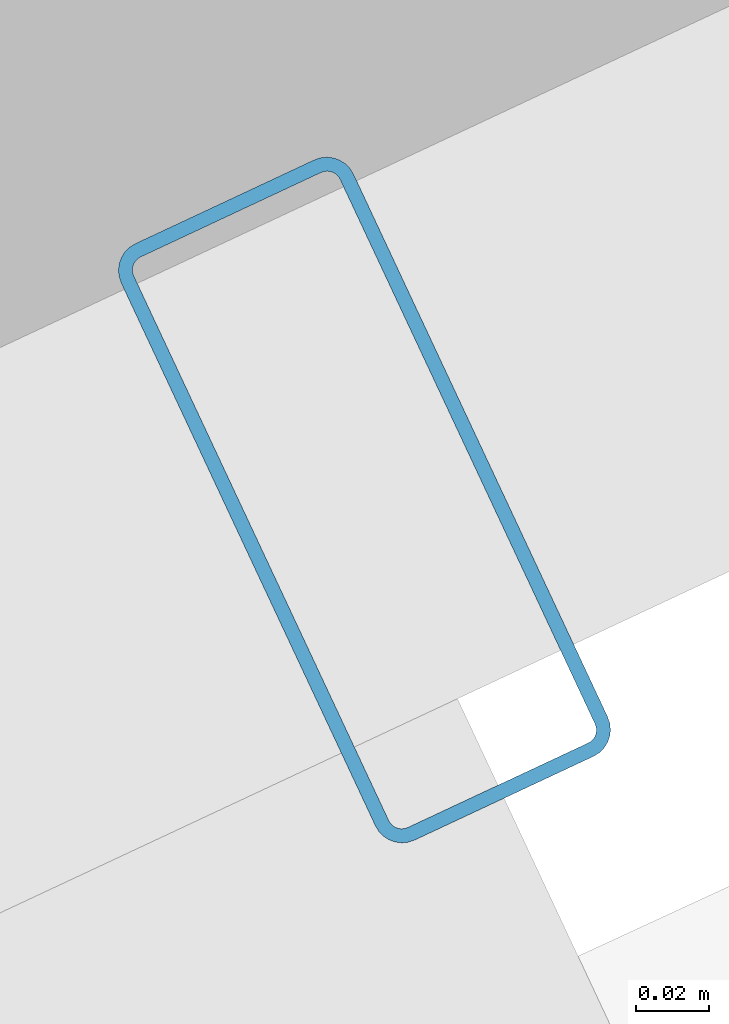
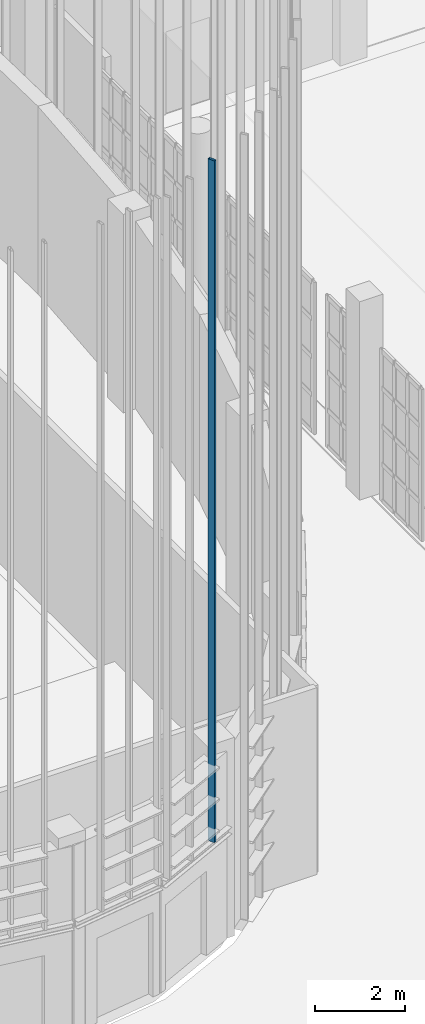
# One storey, part 150 of 372: 1 member.
"""IFC4 building model written with IfcOpenShell, lengths in metres."""

from ifc_helpers import new_model, si_unit, direction, frame, origin, origin_2d, place, context, subcontext, project, spatial, hollow_rectangle, extrude, material, material_profile, profile_set, type_object, element, save


model = new_model("IFC4")

# Units and contexts
model_context = context("Model", 3, precision=1e-05, world=origin(), true_north=direction((0.0, 1.0)))
body_context = subcontext(model_context, "Body", "Model", "MODEL_VIEW")
ifc_project = project(units=[si_unit("LENGTHUNIT", "METRE"), si_unit("AREAUNIT", "SQUARE_METRE"), si_unit("VOLUMEUNIT", "CUBIC_METRE"), si_unit("PLANEANGLEUNIT", "RADIAN"), si_unit("MASSUNIT", "GRAM", prefix="KILO")], contexts=[model_context])

# Site, building, storey
site_placement = place(None, origin())
site = spatial("IfcSite", under=ifc_project, at=site_placement, CompositionType="ELEMENT")
building_placement = place(site_placement, origin())
building = spatial("IfcBuilding", under=site, at=building_placement, Name="Kaelora Sail Theatre", CompositionType="ELEMENT")
storey_placement = place(building_placement, origin())
storey = spatial("IfcBuildingStorey", under=building, at=storey_placement, Name="L00", CompositionType="ELEMENT", Elevation=0.0)

# Member
ifc_material = material(Name="Anodised aluminium 6063-T6", Category="aluminium")
ifc_material_profile = material_profile(ifc_material, hollow_rectangle(XDim=0.070068359375, YDim=0.179931640625, WallThickness=0.00390625, InnerFilletRadius=0.00390625, OuterFilletRadius=0.008056640625, at=origin_2d()), Name="ALU-MULL 70x180x4")
ifc_profile_set = profile_set([ifc_material_profile], Name="Anodised aluminium 6063-T6")
member_type = type_object("IfcMemberType", Name="ARC-MEM-PST-160", PredefinedType="POST", material=ifc_profile_set)
member_placement = place(storey_placement, frame((94.815185546875, 32.186279296875, 3.10009765625), z_axis=(0.0, 0.0, 1.0), x_axis=(-0.905642821984, -0.424041364714, 0.0)))
element("IfcMember", 1, at=member_placement, inside=storey, type_object=member_type, Name="Studio Theatre Sail Drum solar louvre vertical support post C9-1", PredefinedType="POST", context=body_context, shape_type="SweptSolid", body=[
    extrude(hollow_rectangle(XDim=0.070068359375, YDim=0.179931640625, WallThickness=0.00390625, InnerFilletRadius=0.00390625, OuterFilletRadius=0.008056640625, at=origin_2d()), origin(), (0.0, 0.0, 1.0), 18.5537109375),
])

save(model, "model.ifc")
